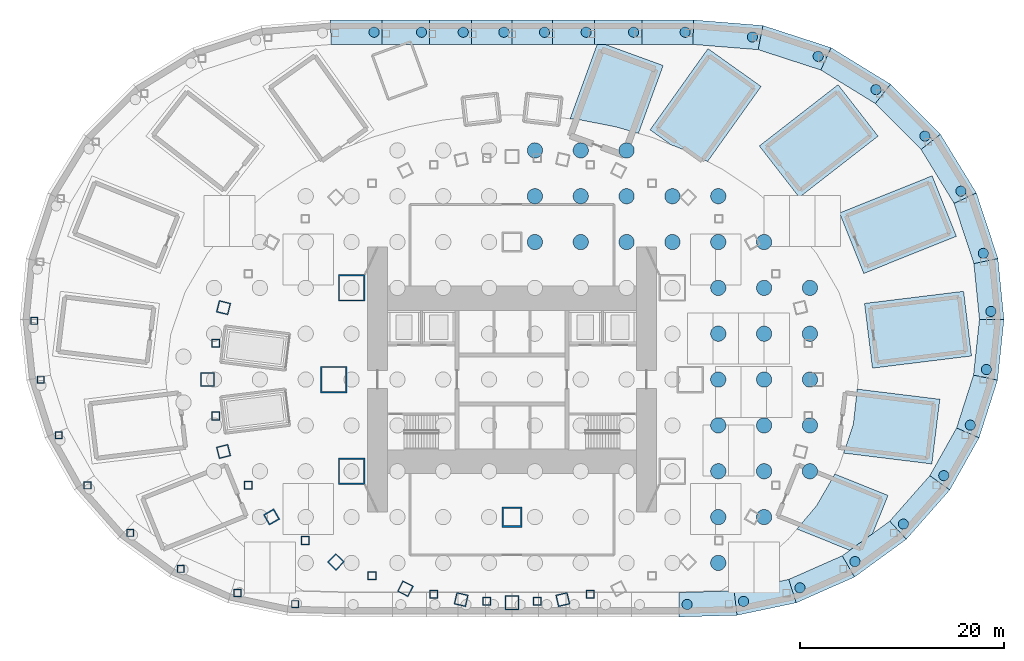
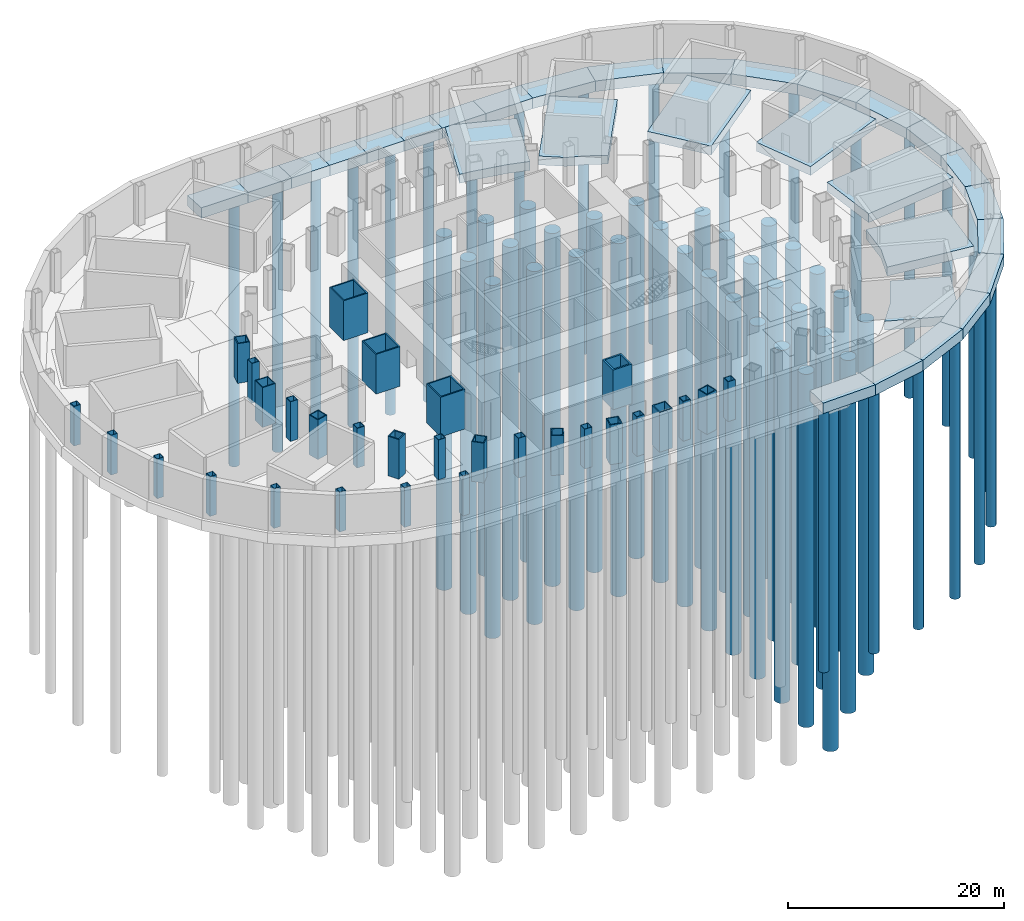
# One storey, part 2 of 11: 55 piles, 30 columns, 30 footings.
"""IFC4 building model written with IfcOpenShell, lengths in metres."""

import ifcopenshell
import ifcopenshell.guid

model = None  # the IFC model being written
_history = None  # IfcOwnerHistory: only IFC2X3 demands one
_inside = {}  # id of a spatial element -> (the spatial element, [elements in it])
_under = {}  # id of a project, library or spatial element -> (it, [spatial elements below it])
_declared = {}  # id of a project -> (the project, [libraries it declares])
_typed = {}  # id of a type object -> (the type object, [elements of that type])
_made_of = {}  # id of a material, layer set ... -> (it, [elements and type objects made of it])


def new_model(schema):
    """Start an empty IFC model of exactly this schema.

    Asked for "IFC4X3", IfcOpenShell would pick the latest addendum, in which some entities
    have other attributes; the version numbers below select the first issue.
    IFC2X3 requires an IfcOwnerHistory on every rooted entity: one is made here for all.
    """
    global model, _history
    if schema == "IFC4X3":
        model = ifcopenshell.file(schema_version=(4, 3, 0, 0))
    else:
        model = ifcopenshell.file(schema=schema)
    _inside.clear()
    _under.clear()
    _declared.clear()
    _typed.clear()
    _made_of.clear()
    _history = None
    if model.schema == "IFC2X3":
        org = make("IfcOrganization", Name="unknown")
        user = make(
            "IfcPersonAndOrganization",
            ThePerson=make("IfcPerson", FamilyName="unknown"),
            TheOrganization=org,
        )
        app = make(
            "IfcApplication",
            ApplicationDeveloper=org,
            Version="unknown",
            ApplicationFullName="unknown",
            ApplicationIdentifier="unknown",
        )
        _history = make(
            "IfcOwnerHistory",
            OwningUser=user,
            OwningApplication=app,
            ChangeAction="ADDED",
            CreationDate=0,
        )
    return model


def make(cls, **values):
    """One entity of the class cls with the attributes given. An attribute that is None is left unset."""
    return model.create_entity(
        cls, **{name: value for name, value in values.items() if value is not None}
    )


def rooted(cls, **values):
    """An entity with a GlobalId (a new one), such as an element, a storey or a relation."""
    return make(cls, GlobalId=ifcopenshell.guid.new(), OwnerHistory=_history, **values)


def si_unit(unit_type, name, prefix=None):
    """IfcSIUnit, for example si_unit("LENGTHUNIT", "METRE", prefix="MILLI")."""
    return make("IfcSIUnit", UnitType=unit_type, Prefix=prefix, Name=name)


def assignment(units):
    """IfcUnitAssignment: the units of a project."""
    return None if units is None else make("IfcUnitAssignment", Units=units)


def point(xyz):
    """IfcCartesianPoint."""
    return None if xyz is None else make("IfcCartesianPoint", Coordinates=xyz)


def direction(xyz):
    """IfcDirection."""
    return None if xyz is None else make("IfcDirection", DirectionRatios=xyz)


def frame(location, z_axis=None, x_axis=None):
    """IfcAxis2Placement3D, a coordinate frame: its origin and axes. An axis left out is left unset."""
    return make(
        "IfcAxis2Placement3D",
        Location=point(location),
        Axis=direction(z_axis),
        RefDirection=direction(x_axis),
    )


def frame_2d(location, x_axis=None):
    """IfcAxis2Placement2D, a coordinate frame in the plane: its origin and x axis."""
    return make(
        "IfcAxis2Placement2D", Location=point(location), RefDirection=direction(x_axis)
    )


def origin():
    """The frame at (0, 0, 0) with its axes left unset."""
    return frame((0.0, 0.0, 0.0))


def origin_2d():
    """The frame at (0, 0) in the plane with its x axis left unset."""
    return frame_2d((0.0, 0.0))


def place(relative_to, where):
    """IfcLocalPlacement: puts the frame where relative to a parent placement (None: the world)."""
    return make(
        "IfcLocalPlacement", PlacementRelTo=relative_to, RelativePlacement=where
    )


def context(
    kind, dimensions, precision=None, world=None, true_north=None, identifier=None
):
    """IfcGeometricRepresentationContext, for example the 3D "Model" context."""
    return make(
        "IfcGeometricRepresentationContext",
        ContextIdentifier=identifier,
        ContextType=kind,
        CoordinateSpaceDimension=dimensions,
        Precision=precision,
        WorldCoordinateSystem=world,
        TrueNorth=true_north,
    )


def subcontext(parent, identifier, kind, view, scale=None):
    """IfcGeometricRepresentationSubContext, for example "Body" below "Model"."""
    return make(
        "IfcGeometricRepresentationSubContext",
        ContextIdentifier=identifier,
        ContextType=kind,
        ParentContext=parent,
        TargetScale=scale,
        TargetView=view,
    )


def project(units=None, contexts=None):
    """IfcProject with its units and contexts."""
    return rooted(
        "IfcProject",
        Name="project",
        RepresentationContexts=contexts,
        UnitsInContext=assignment(units),
    )


def spatial(cls, under=None, at=None, **own):
    """A site, building, storey or space (cls), placed at a placement, below another one or the project."""
    s = rooted(cls, ObjectPlacement=at, **own)
    if under is not None:
        _under.setdefault(under.id(), (under, []))[1].append(s)
    return s


def polyline(points):
    """IfcPolyline through the points."""
    return make("IfcPolyline", Points=[point(p) for p in points])


def profile(cls, at=None, kind="AREA", **sizes):
    """A parametric profile (cls). Its sizes go by their IFC names, for example OverallWidth=200.0."""
    return make(cls, ProfileType=kind, Position=at, **sizes)


def rectangle(**sizes):
    """IfcRectangleProfileDef."""
    return profile("IfcRectangleProfileDef", **sizes)


def hollow_rectangle(**sizes):
    """IfcRectangleHollowProfileDef."""
    return profile("IfcRectangleHollowProfileDef", **sizes)


def circle(**sizes):
    """IfcCircleProfileDef."""
    return profile("IfcCircleProfileDef", **sizes)


def outline(outer, holes=None, kind="AREA"):
    """IfcArbitraryClosedProfileDef: a profile drawn as a closed curve; with holes, ...WithVoids."""
    if holes is None:
        return make("IfcArbitraryClosedProfileDef", ProfileType=kind, OuterCurve=outer)
    return make(
        "IfcArbitraryProfileDefWithVoids",
        ProfileType=kind,
        OuterCurve=outer,
        InnerCurves=holes,
    )


def extrude(swept, where, along, depth):
    """IfcExtrudedAreaSolid: the profile swept, set in the frame where, extruded along a direction by depth."""
    return make(
        "IfcExtrudedAreaSolid",
        SweptArea=swept,
        Position=where,
        ExtrudedDirection=direction(along),
        Depth=depth,
    )


def shape(context_of_items, identifier, shape_type, items):
    """IfcShapeRepresentation: the items that make up one representation, for example the "Body"."""
    return make(
        "IfcShapeRepresentation",
        ContextOfItems=context_of_items,
        RepresentationIdentifier=identifier,
        RepresentationType=shape_type,
        Items=items,
    )


def material(Name=None, Category=None):
    """IfcMaterial."""
    return make("IfcMaterial", Name=Name, Category=Category)


def layer(
    of_material, thickness, ventilated=None, Name=None, Category=None, Priority=None
):
    """IfcMaterialLayer: one layer of a wall or slab, of a material (None: an air gap)."""
    return make(
        "IfcMaterialLayer",
        Material=of_material,
        LayerThickness=thickness,
        IsVentilated=ventilated,
        Name=Name,
        Category=Category,
        Priority=Priority,
    )


def layer_set(layers, Name=None):
    """IfcMaterialLayerSet."""
    return make("IfcMaterialLayerSet", MaterialLayers=layers, LayerSetName=Name)


def material_profile(
    of_material, cross_section, Name=None, Category=None, Priority=None
):
    """IfcMaterialProfile: a cross section and its material."""
    return make(
        "IfcMaterialProfile",
        Name=Name,
        Material=of_material,
        Profile=cross_section,
        Priority=Priority,
        Category=Category,
    )


def profile_set(profiles, Name=None, composite=None):
    """IfcMaterialProfileSet."""
    return make(
        "IfcMaterialProfileSet",
        Name=Name,
        MaterialProfiles=profiles,
        CompositeProfile=composite,
    )


def made_of(thing, what):
    """Note that an element or type object is made of a material, layer set ...; save() writes the relation."""
    if what is not None:
        _made_of.setdefault(what.id(), (what, []))[1].append(thing)
    return thing


def type_object(cls, material=None, **own):
    """A type object (cls), such as IfcWallType, which elements share."""
    return made_of(rooted(cls, **own), material)


def element(
    cls,
    number,
    at=None,
    inside=None,
    cuts=None,
    type_object=None,
    material=None,
    context=None,
    identifier="Body",
    shape_type=None,
    held_by="IfcProductDefinitionShape",
    body=None,
    shapes=None,
    **own,
):
    """One element of the class cls, such as IfcWall. Its Tag is "e" and its number.

    at: its placement. inside: the storey or other place that contains it. cuts: it is an
    opening in that element (IfcRelVoidsElement). A single representation is given by context,
    identifier, shape_type and body (its items); several are given by shapes. held_by: the class
    of the entity that holds the representations. save() writes the other relations.
    """
    e = rooted(cls, Tag="e%d" % number, ObjectPlacement=at, **own)
    if body is not None:
        shapes = [shape(context, identifier, shape_type, body)]
    if shapes is not None:
        e.Representation = make(held_by, Representations=shapes)
    if inside is not None:
        _inside.setdefault(inside.id(), (inside, []))[1].append(e)
    if cuts is not None:
        rooted(
            "IfcRelVoidsElement", RelatingBuildingElement=cuts, RelatedOpeningElement=e
        )
    if type_object is not None:
        _typed.setdefault(type_object.id(), (type_object, []))[1].append(e)
    return made_of(e, material)


def aggregate(whole, parts):
    """IfcRelAggregates: a whole, such as a stair, and the parts it consists of."""
    return rooted("IfcRelAggregates", RelatingObject=whole, RelatedObjects=parts)


def save(model, path):
    """Write the relations noted so far, then the file.

    IfcRelAggregates (storeys below a building ...), IfcRelContainedInSpatialStructure (elements
    in a storey), IfcRelDefinesByType, IfcRelAssociatesMaterial and IfcRelDeclares: one each for
    every whole, place, type object, material and project.
    """
    for whole, parts in _under.values():
        aggregate(whole, parts)
    for where, things in _inside.values():
        rooted(
            "IfcRelContainedInSpatialStructure",
            RelatedElements=things,
            RelatingStructure=where,
        )
    for kind, things in _typed.values():
        rooted("IfcRelDefinesByType", RelatedObjects=things, RelatingType=kind)
    for what, things in _made_of.values():
        rooted("IfcRelAssociatesMaterial", RelatedObjects=things, RelatingMaterial=what)
    for by, libraries in _declared.values():
        rooted("IfcRelDeclares", RelatingContext=by, RelatedDefinitions=libraries)
    model.write(path)


model = new_model("IFC4")

# Units and contexts
model_context = context("Model", 3, precision=1e-05, world=origin(), true_north=direction((0.0, 1.0)))
body_context = subcontext(model_context, "Body", "Model", "MODEL_VIEW")
ifc_project = project(units=[si_unit("LENGTHUNIT", "METRE"), si_unit("AREAUNIT", "SQUARE_METRE"), si_unit("VOLUMEUNIT", "CUBIC_METRE"), si_unit("PLANEANGLEUNIT", "RADIAN"), si_unit("MASSUNIT", "GRAM", prefix="KILO")], contexts=[model_context])

# Site, building, storey
site_placement = place(None, origin())
site = spatial("IfcSite", under=ifc_project, at=site_placement, CompositionType="ELEMENT")
building_placement = place(site_placement, origin())
building = spatial("IfcBuilding", under=site, at=building_placement, Name="Lantaw Convention Tower", CompositionType="ELEMENT")
storey_placement = place(building_placement, frame((0.0, 0.0, -10.0)))
storey = spatial("IfcBuildingStorey", under=building, at=storey_placement, Name="B2", CompositionType="ELEMENT", Elevation=-10.0)

# Piles
ifc_material_1 = material(Name="Concrete C45/55", Category="concrete")
ifc_material_profile_1 = material_profile(ifc_material_1, circle(Radius=0.5, at=origin_2d()), Name="Bored pile 1000")
ifc_profile_set_1 = profile_set([ifc_material_profile_1], Name="Concrete C45/55")
pile_type_1 = type_object("IfcPileType", Name="Bored pile 1000", PredefinedType="BORED", material=ifc_profile_set_1)
for number, where, z_axis, x_axis, name in (
    (1, (46.572021484375, 0.982177734375, -1.199951171875), (0.0, 0.0, -1.0), (1.0, 0.0, 0.0), "Wall pile 1"),
    (2, (47.015869140625, 6.69287109375, -1.199951171875), (0.0, 0.0, -1.0), (1.0, 0.0, 0.0), "Wall pile 2"),
    (3, (46.27392578125, 12.39306640625, -1.199951171875), (0.0, 0.0, -1.0), (1.0, 0.0, 0.0), "Wall pile 3"),
    (4, (44.0732421875, 18.491943359375, -1.199951171875), (0.0, 0.0, -1.0), (1.0, 0.0, 0.0), "Wall pile 4"),
    (5, (40.542236328125, 23.903076171875, -1.199951171875), (0.0, 0.0, -1.0), (1.0, 0.0, 0.0), "Wall pile 5"),
    (6, (35.732421875, 28.46484375, -1.199951171875), (0.0, 0.0, -1.0), (1.0, 0.0, 0.0), "Wall pile 6"),
    (7, (30.059326171875, 31.73291015625, -1.199951171875), (0.0, 0.0, -1.0), (1.0, 0.0, 0.0), "Wall pile 7"),
    (8, (23.60400390625, 33.6337890625, -1.199951171875), (0.0, 0.0, -1.0), (1.0, 0.0, 0.0), "Wall pile 8"),
    (9, (16.997314453125, 34.10009765625, -1.199951171875), (0.0, 0.0, -1.0), (1.0, 0.0, 0.0), "Wall pile 9"),
    (10, (11.93896484375, 34.10009765625, -1.199951171875), (0.0, 0.0, -1.0), (1.0, 0.0, 0.0), "Wall pile 10"),
    (11, (7.2802734375, 34.10009765625, -1.199951171875), (0.0, 0.0, -1.0), (1.0, 0.0, 0.0), "Wall pile 11"),
    (12, (3.187744140625, 34.10009765625, -1.199951171875), (0.0, 0.0, -1.0), (1.0, 0.0, 0.0), "Wall pile 12"),
    (13, (-0.800048828125, 34.10009765625, -1.199951171875), (0.0, 0.0, -1.0), (1.0, 0.0, 0.0), "Wall pile 13"),
    (14, (-4.787841796875, 34.10009765625, -1.199951171875), (0.0, 0.0, -1.0), (1.0, 0.0, 0.0), "Wall pile 14"),
    (15, (-8.88037109375, 34.10009765625, -1.199951171875), (0.0, 0.0, -1.0), (1.0, 0.0, 0.0), "Wall pile 15"),
    (16, (-13.5390625, 34.10009765625, -1.199951171875), (0.0, 0.0, -1.0), (1.0, 0.0, 0.0), "Wall pile 16"),
    (17, (17.192626953125, -22.0771484375, -1.199951171875), (0.0, 0.0, -1.0), (1.0, 0.0, 0.0), "Wall pile 42"),
    (18, (22.731689453125, -21.77685546875, -1.199951171875), (0.0, 0.0, -1.0), (1.0, 0.0, 0.0), "Wall pile 43"),
    (19, (28.265869140625, -20.444580078125, -1.199951171875), (0.0, 0.0, -1.0), (1.0, 0.0, 0.0), "Wall pile 44"),
    (20, (33.669677734375, -17.873291015625, -1.199951171875), (0.0, 0.0, -1.0), (1.0, 0.0, 0.0), "Wall pile 45"),
    (21, (38.42626953125, -14.189208984375, -1.199951171875), (0.0, 0.0, -1.0), (1.0, 0.0, 0.0), "Wall pile 46"),
    (22, (42.39306640625, -9.43505859375, -1.199951171875), (0.0, 0.0, -1.0), (1.0, 0.0, 0.0), "Wall pile 47"),
    (23, (44.9951171875, -4.473388671875, -1.199951171875), (0.0, 0.0, -1.0), (1.0, 0.0, 0.0), "Wall pile 48"),
):
    element("IfcPile", number, at=place(storey_placement, frame(where, z_axis=z_axis, x_axis=x_axis)), inside=storey, type_object=pile_type_1, Name=name, PredefinedType="BORED", context=body_context, shape_type="SweptSolid", body=[
        extrude(circle(Radius=0.5, at=origin_2d()), origin(), (0.0, 0.0, 1.0), 30.0),
    ])
ifc_material_profile_2 = material_profile(ifc_material_1, circle(Radius=0.75, at=origin_2d()), Name="Bored pile 1500")
ifc_profile_set_2 = profile_set([ifc_material_profile_2], Name="Concrete C45/55")
pile_type_2 = type_object("IfcPileType", Name="Bored pile 1500", PredefinedType="BORED", material=ifc_profile_set_2)
for number, where, z_axis, x_axis, name in (
    (24, (20.25, -18.0, -3.5), (0.0, 0.0, -1.0), (1.0, 0.0, 0.0), "Raft pile 10"),
    (25, (20.25, -13.5, -3.5), (0.0, 0.0, -1.0), (1.0, 0.0, 0.0), "Raft pile 21"),
    (26, (24.75, -13.5, -3.5), (0.0, 0.0, -1.0), (1.0, 0.0, 0.0), "Raft pile 22"),
    (27, (20.25, -9.0, -3.5), (0.0, 0.0, -1.0), (1.0, 0.0, 0.0), "Raft pile 34"),
    (28, (24.75, -9.0, -3.5), (0.0, 0.0, -1.0), (1.0, 0.0, 0.0), "Raft pile 35"),
    (29, (29.25, -9.0, -3.5), (0.0, 0.0, -1.0), (1.0, 0.0, 0.0), "Raft pile 36"),
    (30, (20.25, -4.5, -3.5), (0.0, 0.0, -1.0), (1.0, 0.0, 0.0), "Raft pile 48"),
    (31, (24.75, -4.5, -3.5), (0.0, 0.0, -1.0), (1.0, 0.0, 0.0), "Raft pile 49"),
    (32, (29.25, -4.5, -3.5), (0.0, 0.0, -1.0), (1.0, 0.0, 0.0), "Raft pile 50"),
    (33, (20.25, 0.0, -3.5), (0.0, 0.0, -1.0), (1.0, 0.0, 0.0), "Raft pile 62"),
    (34, (24.75, 0.0, -3.5), (0.0, 0.0, -1.0), (1.0, 0.0, 0.0), "Raft pile 63"),
    (35, (29.25, 0.0, -3.5), (0.0, 0.0, -1.0), (1.0, 0.0, 0.0), "Raft pile 64"),
    (36, (20.25, 4.5, -3.5), (0.0, 0.0, -1.0), (1.0, 0.0, 0.0), "Raft pile 72"),
    (37, (24.75, 4.5, -3.5), (0.0, 0.0, -1.0), (1.0, 0.0, 0.0), "Raft pile 73"),
    (38, (29.25, 4.5, -3.5), (0.0, 0.0, -1.0), (1.0, 0.0, 0.0), "Raft pile 74"),
    (39, (20.25, 9.0, -3.5), (0.0, 0.0, -1.0), (1.0, 0.0, 0.0), "Raft pile 86"),
    (40, (24.75, 9.0, -3.5), (0.0, 0.0, -1.0), (1.0, 0.0, 0.0), "Raft pile 87"),
    (41, (29.25, 9.0, -3.5), (0.0, 0.0, -1.0), (1.0, 0.0, 0.0), "Raft pile 88"),
    (42, (2.25, 13.5, -3.5), (0.0, 0.0, -1.0), (1.0, 0.0, 0.0), "Raft pile 95"),
    (43, (6.75, 13.5, -3.5), (0.0, 0.0, -1.0), (1.0, 0.0, 0.0), "Raft pile 96"),
    (44, (11.25, 13.5, -3.5), (0.0, 0.0, -1.0), (1.0, 0.0, 0.0), "Raft pile 97"),
    (45, (15.75, 13.5, -3.5), (0.0, 0.0, -1.0), (1.0, 0.0, 0.0), "Raft pile 98"),
    (46, (20.25, 13.5, -3.5), (0.0, 0.0, -1.0), (1.0, 0.0, 0.0), "Raft pile 99"),
    (47, (24.75, 13.5, -3.5), (0.0, 0.0, -1.0), (1.0, 0.0, 0.0), "Raft pile 100"),
    (48, (2.25, 18.0, -3.5), (0.0, 0.0, -1.0), (1.0, 0.0, 0.0), "Raft pile 106"),
    (49, (6.75, 18.0, -3.5), (0.0, 0.0, -1.0), (1.0, 0.0, 0.0), "Raft pile 107"),
    (50, (11.25, 18.0, -3.5), (0.0, 0.0, -1.0), (1.0, 0.0, 0.0), "Raft pile 108"),
    (51, (15.75, 18.0, -3.5), (0.0, 0.0, -1.0), (1.0, 0.0, 0.0), "Raft pile 109"),
    (52, (20.25, 18.0, -3.5), (0.0, 0.0, -1.0), (1.0, 0.0, 0.0), "Raft pile 110"),
    (53, (2.25, 22.5, -3.5), (0.0, 0.0, -1.0), (1.0, 0.0, 0.0), "Raft pile 114"),
    (54, (6.75, 22.5, -3.5), (0.0, 0.0, -1.0), (1.0, 0.0, 0.0), "Raft pile 115"),
    (55, (11.25, 22.5, -3.5), (0.0, 0.0, -1.0), (1.0, 0.0, 0.0), "Raft pile 116"),
):
    element("IfcPile", number, at=place(storey_placement, frame(where, z_axis=z_axis, x_axis=x_axis)), inside=storey, type_object=pile_type_2, Name=name, PredefinedType="BORED", context=body_context, shape_type="SweptSolid", body=[
        extrude(circle(Radius=0.75, at=origin_2d()), origin(), (0.0, 0.0, 1.0), 40.0),
    ])

# Footings
ifc_material_2 = material(Name="Concrete C40/50", Category="concrete")
ifc_layer = layer(ifc_material_2, 1.0)
ifc_layer_set = layer_set([ifc_layer], Name="Stair core footing 1000")
footing_type_1 = type_object("IfcFootingType", Name="Stair core footing 1000", PredefinedType="PAD_FOOTING", material=ifc_layer_set)
footing_1_placement = place(storey_placement, frame((0.0, 0.0, -1.0)))
element("IfcFooting", 56, at=footing_1_placement, inside=storey, type_object=footing_type_1, Name="Stair core footing P1", PredefinedType="PAD_FOOTING", context=body_context, shape_type="SweptSolid", body=[
    extrude(outline(polyline([(34.607421875, 7.473388671875), (35.387451171875, 1.12109375), (45.114501953125, 2.3154296875), (44.33447265625, 8.667724609375), (34.607421875, 7.473388671875)])), origin(), (0.0, 0.0, 1.0), 1.0),
])
footing_2_placement = place(storey_placement, frame((0.0, 0.0, -1.0)))
element("IfcFooting", 57, at=footing_2_placement, inside=storey, type_object=footing_type_1, Name="Stair core footing P2", PredefinedType="PAD_FOOTING", context=body_context, shape_type="SweptSolid", body=[
    extrude(outline(polyline([(32.149658203125, 16.3544921875), (34.533935546875, 10.4150390625), (43.628662109375, 14.066162109375), (41.244384765625, 20.00537109375), (32.149658203125, 16.3544921875)])), origin(), (0.0, 0.0, 1.0), 1.0),
])
footing_3_placement = place(storey_placement, frame((0.0, 0.0, -1.0)))
element("IfcFooting", 58, at=footing_3_placement, inside=storey, type_object=footing_type_1, Name="Stair core footing P3", PredefinedType="PAD_FOOTING", context=body_context, shape_type="SweptSolid", body=[
    extrude(outline(polyline([(24.27587890625, 22.933349609375), (28.205078125, 17.88134765625), (35.94091796875, 23.897705078125), (32.011962890625, 28.94970703125), (24.27587890625, 22.933349609375)])), origin(), (0.0, 0.0, 1.0), 1.0),
])
footing_4_placement = place(storey_placement, frame((0.0, 0.0, -1.0)))
element("IfcFooting", 59, at=footing_4_placement, inside=storey, type_object=footing_type_1, Name="Stair core footing P4", PredefinedType="PAD_FOOTING", context=body_context, shape_type="SweptSolid", body=[
    extrude(outline(polyline([(13.553466796875, 24.511962890625), (15.59521484375, 23.0556640625), (17.20703125, 22.424560546875), (19.196533203125, 21.402099609375), (24.454833984375, 28.773681640625), (19.244384765625, 32.490234375), (13.553466796875, 24.511962890625)])), origin(), (0.0, 0.0, 1.0), 1.0),
])
footing_5_placement = place(storey_placement, frame((0.0, 0.0, -1.0)))
element("IfcFooting", 60, at=footing_5_placement, inside=storey, type_object=footing_type_1, Name="Stair core footing P5", PredefinedType="PAD_FOOTING", context=body_context, shape_type="SweptSolid", body=[
    extrude(outline(polyline([(14.83935546875, 30.830078125), (9.152587890625, 32.89990234375), (8.3564453125, 32.89990234375), (5.7001953125, 25.601806640625), (6.824951171875, 25.470703125), (10.266845703125, 24.786376953125), (12.413818359375, 24.166015625), (14.83935546875, 30.830078125)])), origin(), (0.0, 0.0, 1.0), 1.0),
])
footing_6_placement = place(storey_placement, frame((0.0, 0.0, -1.0)))
element("IfcFooting", 61, at=footing_6_placement, inside=storey, type_object=footing_type_1, Name="Stair core footing P12", PredefinedType="PAD_FOOTING", context=body_context, shape_type="SweptSolid", body=[
    extrude(outline(polyline([(27.968017578125, -14.675537109375), (33.159912109375, -16.759765625), (35.41162109375, -15.1171875), (36.91552734375, -11.37109375), (31.695068359375, -9.275390625), (29.89599609375, -12.38330078125), (27.968017578125, -14.675537109375)])), origin(), (0.0, 0.0, 1.0), 1.0),
])
footing_7_placement = place(storey_placement, frame((0.0, 0.0, -1.0)))
element("IfcFooting", 62, at=footing_7_placement, inside=storey, type_object=footing_type_1, Name="Stair core footing P13", PredefinedType="PAD_FOOTING", context=body_context, shape_type="SweptSolid", body=[
    extrude(outline(polyline([(42.000244140625, -1.932861328125), (33.895263671875, -0.937744140625), (33.507080078125, -4.411376953125), (32.55419921875, -7.22119140625), (41.22021484375, -8.28515625), (42.000244140625, -1.932861328125)])), origin(), (0.0, 0.0, 1.0), 1.0),
])
footing_type_2 = type_object("IfcFootingType", Name="Strip footing 2400x1200", PredefinedType="STRIP_FOOTING", material=ifc_material_2)
footing_8_placement = place(storey_placement, frame((0.0, 0.0, -1.199951171875)))
element("IfcFooting", 63, at=footing_8_placement, inside=storey, type_object=footing_type_2, Name="Basement wall strip footing 1", PredefinedType="STRIP_FOOTING", context=body_context, shape_type="SweptSolid", body=[
    extrude(outline(polyline([(47.66748046875, -0.062255859375), (48.30126953125, 5.892578125), (45.888671875, 5.90087890625), (45.30712890625, 0.435791015625), (47.66748046875, -0.062255859375)])), origin(), (0.0, 0.0, 1.0), 1.199951171875),
])
footing_9_placement = place(storey_placement, frame((0.0, 0.0, -1.199951171875)))
element("IfcFooting", 64, at=footing_9_placement, inside=storey, type_object=footing_type_2, Name="Basement wall strip footing 2", PredefinedType="STRIP_FOOTING", context=body_context, shape_type="SweptSolid", body=[
    extrude(outline(polyline([(48.30126953125, 5.892578125), (47.705078125, 11.883056640625), (45.343017578125, 11.383056640625), (45.888671875, 5.90087890625), (48.30126953125, 5.892578125)])), origin(), (0.0, 0.0, 1.0), 1.199951171875),
])
footing_10_placement = place(storey_placement, frame((0.0, 0.0, -1.199951171875)))
element("IfcFooting", 65, at=footing_10_placement, inside=storey, type_object=footing_type_2, Name="Basement wall strip footing 3", PredefinedType="STRIP_FOOTING", context=body_context, shape_type="SweptSolid", body=[
    extrude(outline(polyline([(47.705078125, 11.883056640625), (45.58740234375, 18.3173828125), (43.39501953125, 17.302001953125), (45.343017578125, 11.383056640625), (47.705078125, 11.883056640625)])), origin(), (0.0, 0.0, 1.0), 1.199951171875),
])
footing_11_placement = place(storey_placement, frame((0.0, 0.0, -1.199951171875)))
element("IfcFooting", 66, at=footing_11_placement, inside=storey, type_object=footing_type_2, Name="Basement wall strip footing 4", PredefinedType="STRIP_FOOTING", context=body_context, shape_type="SweptSolid", body=[
    extrude(outline(polyline([(45.58740234375, 18.3173828125), (42.056396484375, 24.08349609375), (40.1572265625, 22.58935546875), (43.39501953125, 17.302001953125), (45.58740234375, 18.3173828125)])), origin(), (0.0, 0.0, 1.0), 1.199951171875),
])
footing_12_placement = place(storey_placement, frame((0.0, 0.0, -1.199951171875)))
element("IfcFooting", 67, at=footing_12_placement, inside=storey, type_object=footing_type_2, Name="Basement wall strip footing 5", PredefinedType="STRIP_FOOTING", context=body_context, shape_type="SweptSolid", body=[
    extrude(outline(polyline([(42.056396484375, 24.08349609375), (37.16357421875, 28.993408203125), (35.6640625, 27.09814453125), (40.1572265625, 22.58935546875), (42.056396484375, 24.08349609375)])), origin(), (0.0, 0.0, 1.0), 1.199951171875),
])
footing_13_placement = place(storey_placement, frame((0.0, 0.0, -1.199951171875)))
element("IfcFooting", 68, at=footing_13_placement, inside=storey, type_object=footing_type_2, Name="Basement wall strip footing 6", PredefinedType="STRIP_FOOTING", context=body_context, shape_type="SweptSolid", body=[
    extrude(outline(polyline([(37.16357421875, 28.993408203125), (31.326904296875, 32.5830078125), (30.3134765625, 30.388671875), (35.6640625, 27.09814453125), (37.16357421875, 28.993408203125)])), origin(), (0.0, 0.0, 1.0), 1.199951171875),
])
footing_14_placement = place(storey_placement, frame((0.0, 0.0, -1.199951171875)))
element("IfcFooting", 69, at=footing_14_placement, inside=storey, type_object=footing_type_2, Name="Basement wall strip footing 7", PredefinedType="STRIP_FOOTING", context=body_context, shape_type="SweptSolid", body=[
    extrude(outline(polyline([(31.326904296875, 32.5830078125), (24.637939453125, 34.754638671875), (24.1650390625, 32.384765625), (30.3134765625, 30.388671875), (31.326904296875, 32.5830078125)])), origin(), (0.0, 0.0, 1.0), 1.199951171875),
])
footing_15_placement = place(storey_placement, frame((0.0, 0.0, -1.199951171875)))
element("IfcFooting", 70, at=footing_15_placement, inside=storey, type_object=footing_type_2, Name="Basement wall strip footing 8", PredefinedType="STRIP_FOOTING", context=body_context, shape_type="SweptSolid", body=[
    extrude(outline(polyline([(24.637939453125, 34.754638671875), (17.845458984375, 35.300048828125), (17.749267578125, 32.89990234375), (24.1650390625, 32.384765625), (24.637939453125, 34.754638671875)])), origin(), (0.0, 0.0, 1.0), 1.199951171875),
])
footing_16_placement = place(storey_placement, frame((0.0, 0.0, -1.199951171875)))
element("IfcFooting", 71, at=footing_16_placement, inside=storey, type_object=footing_type_2, Name="Basement wall strip footing 9", PredefinedType="STRIP_FOOTING", context=body_context, shape_type="SweptSolid", body=[
    extrude(outline(polyline([(17.845458984375, 35.300048828125), (12.739013671875, 35.300048828125), (12.739013671875, 32.89990234375), (17.749267578125, 32.89990234375), (17.845458984375, 35.300048828125)])), origin(), (0.0, 0.0, 1.0), 1.199951171875),
])
footing_17_placement = place(storey_placement, frame((0.0, 0.0, -1.199951171875)))
element("IfcFooting", 72, at=footing_17_placement, inside=storey, type_object=footing_type_2, Name="Basement wall strip footing 10", PredefinedType="STRIP_FOOTING", context=body_context, shape_type="SweptSolid", body=[
    extrude(outline(polyline([(12.739013671875, 35.300048828125), (8.080322265625, 35.300048828125), (8.080322265625, 32.89990234375), (12.739013671875, 32.89990234375), (12.739013671875, 35.300048828125)])), origin(), (0.0, 0.0, 1.0), 1.199951171875),
])
footing_18_placement = place(storey_placement, frame((0.0, 0.0, -1.199951171875)))
element("IfcFooting", 73, at=footing_18_placement, inside=storey, type_object=footing_type_2, Name="Basement wall strip footing 11", PredefinedType="STRIP_FOOTING", context=body_context, shape_type="SweptSolid", body=[
    extrude(outline(polyline([(8.080322265625, 35.300048828125), (3.98779296875, 35.300048828125), (3.98779296875, 32.89990234375), (8.080322265625, 32.89990234375), (8.080322265625, 35.300048828125)])), origin(), (0.0, 0.0, 1.0), 1.199951171875),
])
footing_19_placement = place(storey_placement, frame((0.0, 0.0, -1.199951171875)))
element("IfcFooting", 74, at=footing_19_placement, inside=storey, type_object=footing_type_2, Name="Basement wall strip footing 12", PredefinedType="STRIP_FOOTING", context=body_context, shape_type="SweptSolid", body=[
    extrude(outline(polyline([(3.98779296875, 35.300048828125), (0.0, 35.300048828125), (0.0, 32.89990234375), (3.98779296875, 32.89990234375), (3.98779296875, 35.300048828125)])), origin(), (0.0, 0.0, 1.0), 1.199951171875),
])
footing_20_placement = place(storey_placement, frame((0.0, 0.0, -1.199951171875)))
element("IfcFooting", 75, at=footing_20_placement, inside=storey, type_object=footing_type_2, Name="Basement wall strip footing 13", PredefinedType="STRIP_FOOTING", context=body_context, shape_type="SweptSolid", body=[
    extrude(outline(polyline([(0.0, 35.300048828125), (-3.98779296875, 35.300048828125), (-3.98779296875, 32.89990234375), (0.0, 32.89990234375), (0.0, 35.300048828125)])), origin(), (0.0, 0.0, 1.0), 1.199951171875),
])
footing_21_placement = place(storey_placement, frame((0.0, 0.0, -1.199951171875)))
element("IfcFooting", 76, at=footing_21_placement, inside=storey, type_object=footing_type_2, Name="Basement wall strip footing 14", PredefinedType="STRIP_FOOTING", context=body_context, shape_type="SweptSolid", body=[
    extrude(outline(polyline([(-3.98779296875, 35.300048828125), (-8.080322265625, 35.300048828125), (-8.080322265625, 32.89990234375), (-3.98779296875, 32.89990234375), (-3.98779296875, 35.300048828125)])), origin(), (0.0, 0.0, 1.0), 1.199951171875),
])
footing_22_placement = place(storey_placement, frame((0.0, 0.0, -1.199951171875)))
element("IfcFooting", 77, at=footing_22_placement, inside=storey, type_object=footing_type_2, Name="Basement wall strip footing 15", PredefinedType="STRIP_FOOTING", context=body_context, shape_type="SweptSolid", body=[
    extrude(outline(polyline([(-8.080322265625, 35.300048828125), (-12.739013671875, 35.300048828125), (-12.739013671875, 32.89990234375), (-8.080322265625, 32.89990234375), (-8.080322265625, 35.300048828125)])), origin(), (0.0, 0.0, 1.0), 1.199951171875),
])
footing_23_placement = place(storey_placement, frame((0.0, 0.0, -1.199951171875)))
element("IfcFooting", 78, at=footing_23_placement, inside=storey, type_object=footing_type_2, Name="Basement wall strip footing 16", PredefinedType="STRIP_FOOTING", context=body_context, shape_type="SweptSolid", body=[
    extrude(outline(polyline([(-12.739013671875, 35.300048828125), (-17.845458984375, 35.300048828125), (-17.749267578125, 32.89990234375), (-12.739013671875, 32.89990234375), (-12.739013671875, 35.300048828125)])), origin(), (0.0, 0.0, 1.0), 1.199951171875),
])
footing_24_placement = place(storey_placement, frame((0.0, 0.0, -1.199951171875)))
element("IfcFooting", 79, at=footing_24_placement, inside=storey, type_object=footing_type_2, Name="Basement wall strip footing 42", PredefinedType="STRIP_FOOTING", context=body_context, shape_type="SweptSolid", body=[
    extrude(outline(polyline([(16.409912109375, -23.300048828125), (22.09033203125, -23.1376953125), (21.80712890625, -20.744873046875), (16.375732421875, -20.89990234375), (16.409912109375, -23.300048828125)])), origin(), (0.0, 0.0, 1.0), 1.199951171875),
])
footing_25_placement = place(storey_placement, frame((0.0, 0.0, -1.199951171875)))
element("IfcFooting", 80, at=footing_25_placement, inside=storey, type_object=footing_type_2, Name="Basement wall strip footing 43", PredefinedType="STRIP_FOOTING", context=body_context, shape_type="SweptSolid", body=[
    extrude(outline(polyline([(22.09033203125, -23.1376953125), (27.90380859375, -21.916015625), (27.164306640625, -19.619140625), (21.80712890625, -20.744873046875), (22.09033203125, -23.1376953125)])), origin(), (0.0, 0.0, 1.0), 1.199951171875),
])
footing_26_placement = place(storey_placement, frame((0.0, 0.0, -1.199951171875)))
element("IfcFooting", 81, at=footing_26_placement, inside=storey, type_object=footing_type_2, Name="Basement wall strip footing 44", PredefinedType="STRIP_FOOTING", context=body_context, shape_type="SweptSolid", body=[
    extrude(outline(polyline([(27.90380859375, -21.916015625), (33.626220703125, -19.390380859375), (32.420654296875, -17.299072265625), (27.164306640625, -19.619140625), (27.90380859375, -21.916015625)])), origin(), (0.0, 0.0, 1.0), 1.199951171875),
])
footing_27_placement = place(storey_placement, frame((0.0, 0.0, -1.199951171875)))
element("IfcFooting", 82, at=footing_27_placement, inside=storey, type_object=footing_type_2, Name="Basement wall strip footing 45", PredefinedType="STRIP_FOOTING", context=body_context, shape_type="SweptSolid", body=[
    extrude(outline(polyline([(33.626220703125, -19.390380859375), (38.710693359375, -15.681396484375), (37.083984375, -13.897216796875), (32.420654296875, -17.299072265625), (33.626220703125, -19.390380859375)])), origin(), (0.0, 0.0, 1.0), 1.199951171875),
])
footing_28_placement = place(storey_placement, frame((0.0, 0.0, -1.199951171875)))
element("IfcFooting", 83, at=footing_28_placement, inside=storey, type_object=footing_type_2, Name="Basement wall strip footing 46", PredefinedType="STRIP_FOOTING", context=body_context, shape_type="SweptSolid", body=[
    extrude(outline(polyline([(38.710693359375, -15.681396484375), (42.985595703125, -10.830810546875), (41.017333984375, -9.434326171875), (37.083984375, -13.897216796875), (38.710693359375, -15.681396484375)])), origin(), (0.0, 0.0, 1.0), 1.199951171875),
])
footing_29_placement = place(storey_placement, frame((0.0, 0.0, -1.199951171875)))
element("IfcFooting", 84, at=footing_29_placement, inside=storey, type_object=footing_type_2, Name="Basement wall strip footing 47", PredefinedType="STRIP_FOOTING", context=body_context, shape_type="SweptSolid", body=[
    extrude(outline(polyline([(42.985595703125, -10.830810546875), (45.85693359375, -5.717041015625), (43.645263671875, -4.753662109375), (41.017333984375, -9.434326171875), (42.985595703125, -10.830810546875)])), origin(), (0.0, 0.0, 1.0), 1.199951171875),
])
footing_30_placement = place(storey_placement, frame((0.0, 0.0, -1.199951171875)))
element("IfcFooting", 85, at=footing_30_placement, inside=storey, type_object=footing_type_2, Name="Basement wall strip footing 48", PredefinedType="STRIP_FOOTING", context=body_context, shape_type="SweptSolid", body=[
    extrude(outline(polyline([(45.85693359375, -5.717041015625), (47.66748046875, -0.062255859375), (45.30712890625, 0.435791015625), (43.645263671875, -4.753662109375), (45.85693359375, -5.717041015625)])), origin(), (0.0, 0.0, 1.0), 1.199951171875),
])

# Columns
ifc_material_3 = material(Name="Steel EN 10025-3 S460N", Category="steel")
ifc_material_profile_3 = material_profile(ifc_material_3, hollow_rectangle(XDim=2.0, YDim=2.0, WallThickness=0.169921875, at=origin_2d()), Name="BOX2000X170")
ifc_material_4 = material(Name="Concrete C60/75", Category="concrete")
ifc_material_profile_4 = material_profile(ifc_material_4, rectangle(XDim=1.659912109375, YDim=1.659912109375, at=origin_2d()), Name="Concrete fill of BOX2000X170")
ifc_profile_set_3 = profile_set([ifc_material_profile_3, ifc_material_profile_4], Name="Steel EN 10025-3 S460N")
column_type_1 = type_object("IfcColumnType", Name="Column MC BOX2000X170", PredefinedType="COLUMN", material=ifc_profile_set_3)
column_1_placement = place(storey_placement, frame((0.0, -13.5, 0.0), z_axis=(0.0, 0.0, 1.0), x_axis=(1.0, 0.0, 0.0)))
element("IfcColumn", 86, at=column_1_placement, inside=storey, type_object=column_type_1, Name="Mega column M7", PredefinedType="COLUMN", context=body_context, shape_type="SweptSolid", body=[
    extrude(hollow_rectangle(XDim=2.0, YDim=2.0, WallThickness=0.169921875, at=origin_2d()), origin(), (0.0, 0.0, 1.0), 4.5),
])
ifc_material_profile_5 = material_profile(ifc_material_3, hollow_rectangle(XDim=2.60009765625, YDim=2.60009765625, WallThickness=0.1298828125, at=origin_2d()), Name="BOX2600X130")
ifc_material_profile_6 = material_profile(ifc_material_4, rectangle(XDim=2.340087890625, YDim=2.340087890625, at=origin_2d()), Name="Concrete fill of BOX2600X130")
ifc_profile_set_4 = profile_set([ifc_material_profile_5, ifc_material_profile_6], Name="Steel EN 10025-3 S460N")
column_type_2 = type_object("IfcColumnType", Name="Column MC BOX2600X130", PredefinedType="COLUMN", material=ifc_profile_set_4)
for number, where, z_axis, x_axis, name in (
    (87, (-15.75, 9.0, 0.0), (0.0, 0.0, 1.0), (1.0, 0.0, 0.0), "Mega column M4"),
    (88, (-17.5, 0.0, 0.0), (0.0, 0.0, 1.0), (1.0, 0.0, 0.0), "Mega column M5"),
    (89, (-15.75, -9.0, 0.0), (0.0, 0.0, 1.0), (1.0, 0.0, 0.0), "Mega column M6"),
):
    element("IfcColumn", number, at=place(storey_placement, frame(where, z_axis=z_axis, x_axis=x_axis)), inside=storey, type_object=column_type_2, Name=name, PredefinedType="COLUMN", context=body_context, shape_type="SweptSolid", body=[
        extrude(hollow_rectangle(XDim=2.60009765625, YDim=2.60009765625, WallThickness=0.1298828125, at=origin_2d()), origin(), (0.0, 0.0, 1.0), 4.5),
    ])
ifc_material_profile_7 = material_profile(ifc_material_3, hollow_rectangle(XDim=1.199951171875, YDim=1.199951171875, WallThickness=0.10009765625, at=origin_2d()), Name="BOX1200X100")
ifc_material_profile_8 = material_profile(ifc_material_4, rectangle(XDim=1.0, YDim=1.0, at=origin_2d()), Name="Concrete fill of BOX1200X100")
ifc_profile_set_5 = profile_set([ifc_material_profile_7, ifc_material_profile_8], Name="Steel EN 10025-3 S460N")
column_type_3 = type_object("IfcColumnType", Name="Column PC BOX1200X100", PredefinedType="COLUMN", material=ifc_profile_set_5)
for number, where, z_axis, x_axis, name in (
    (90, (-28.31787109375, 7.060302734375, 0.0), (0.0, 0.0, 1.0), (0.2419218956, 0.970295726276, 0.0), "Perimeter column P12"),
    (91, (-28.31787109375, -7.060302734375, 0.0), (0.0, 0.0, 1.0), (0.970295726276, 0.2419218956, 0.0), "Perimeter column P14"),
    (92, (-17.290771484375, -17.9052734375, 0.0), (0.0, 0.0, 1.0), (0.694658370459, 0.719339800339, 0.0), "Perimeter column P16"),
    (93, (-10.462646484375, -20.533935546875, 0.0), (0.0, 0.0, 1.0), (0.45399049974, 0.891006524188, 0.0), "Perimeter column P17"),
    (94, (-4.986328125, -21.59814453125, 0.0), (0.0, 0.0, 1.0), (0.224951054344, 0.974370064785, 0.0), "Perimeter column P18"),
    (95, (4.986328125, -21.59814453125, 0.0), (0.0, 0.0, 1.0), (0.974370064785, 0.224951054344, 0.0), "Perimeter column P20"),
):
    element("IfcColumn", number, at=place(storey_placement, frame(where, z_axis=z_axis, x_axis=x_axis)), inside=storey, type_object=column_type_3, Name=name, PredefinedType="COLUMN", context=body_context, shape_type="SweptSolid", body=[
        extrude(hollow_rectangle(XDim=1.199951171875, YDim=1.199951171875, WallThickness=0.10009765625, at=origin_2d()), origin(), (0.0, 0.0, 1.0), 4.5),
    ])
ifc_material_profile_9 = material_profile(ifc_material_3, hollow_rectangle(XDim=1.199951171875, YDim=1.199951171875, WallThickness=0.1201171875, at=origin_2d()), Name="BOX1200X120")
ifc_material_profile_10 = material_profile(ifc_material_4, rectangle(XDim=0.9599609375, YDim=0.9599609375, at=origin_2d()), Name="Concrete fill of BOX1200X120")
ifc_profile_set_6 = profile_set([ifc_material_profile_9, ifc_material_profile_10], Name="Steel EN 10025-3 S460N")
column_type_4 = type_object("IfcColumnType", Name="Column PC BOX1200X120", PredefinedType="COLUMN", material=ifc_profile_set_6)
column_2_placement = place(storey_placement, frame((-23.60498046875, -13.488525390625, 0.0), z_axis=(0.0, 0.0, 1.0), x_axis=(0.86824298017, 0.496139221777, 0.0)))
element("IfcColumn", 96, at=column_2_placement, inside=storey, type_object=column_type_4, Name="Perimeter column P15", PredefinedType="COLUMN", context=body_context, shape_type="SweptSolid", body=[
    extrude(hollow_rectangle(XDim=1.199951171875, YDim=1.199951171875, WallThickness=0.1201171875, at=origin_2d()), origin(), (0.0, 0.0, 1.0), 4.5),
])
ifc_material_profile_11 = material_profile(ifc_material_3, hollow_rectangle(XDim=1.39990234375, YDim=1.39990234375, WallThickness=0.10009765625, at=origin_2d()), Name="BOX1400X100")
ifc_material_profile_12 = material_profile(ifc_material_4, rectangle(XDim=1.199951171875, YDim=1.199951171875, at=origin_2d()), Name="Concrete fill of BOX1400X100")
ifc_profile_set_7 = profile_set([ifc_material_profile_11, ifc_material_profile_12], Name="Steel EN 10025-3 S460N")
column_type_5 = type_object("IfcColumnType", Name="Column PC BOX1400X100", PredefinedType="COLUMN", material=ifc_profile_set_7)
for number, where, z_axis, x_axis, name in (
    (97, (-29.89990234375, 0.0, 0.0), (0.0, 0.0, 1.0), (1.0, 0.0, 0.0), "Perimeter column P13"),
    (98, (0.0, -21.89990234375, 0.0), (0.0, 0.0, 1.0), (1.0, 0.0, 0.0), "Perimeter column P19"),
):
    element("IfcColumn", number, at=place(storey_placement, frame(where, z_axis=z_axis, x_axis=x_axis)), inside=storey, type_object=column_type_5, Name=name, PredefinedType="COLUMN", context=body_context, shape_type="SweptSolid", body=[
        extrude(hollow_rectangle(XDim=1.39990234375, YDim=1.39990234375, WallThickness=0.10009765625, at=origin_2d()), origin(), (0.0, 0.0, 1.0), 4.5),
    ])
ifc_material_5 = material(Name="Steel ASTM A572 Grade 50", Category="steel")
ifc_material_profile_13 = material_profile(ifc_material_5, hollow_rectangle(XDim=0.800048828125, YDim=0.800048828125, WallThickness=0.050048828125, at=origin_2d()), Name="BOX800X50")
ifc_profile_set_8 = profile_set([ifc_material_profile_13], Name="Steel ASTM A572 Grade 50")
column_type_6 = type_object("IfcColumnType", Name="Column QC BOX800X50", PredefinedType="COLUMN", material=ifc_profile_set_8)
for number, where, z_axis, x_axis, name in (
    (99, (-29.099365234375, 3.572998046875, 0.0), (0.0, 0.0, 1.0), (1.0, 0.0, 0.0), "Podium ring column Q12"),
    (100, (-29.099365234375, -3.572998046875, 0.0), (0.0, 0.0, 1.0), (1.0, 0.0, 0.0), "Podium ring column Q13"),
    (101, (-25.8779296875, -10.388427734375, 0.0), (0.0, 0.0, 1.0), (1.0, 0.0, 0.0), "Podium ring column Q14"),
    (102, (-20.30859375, -15.794189453125, 0.0), (0.0, 0.0, 1.0), (1.0, 0.0, 0.0), "Podium ring column Q15"),
    (103, (-13.745361328125, -19.270263671875, 0.0), (0.0, 0.0, 1.0), (1.0, 0.0, 0.0), "Podium ring column Q16"),
    (104, (-7.671142578125, -21.076416015625, 0.0), (0.0, 0.0, 1.0), (1.0, 0.0, 0.0), "Podium ring column Q17"),
    (105, (-2.47802734375, -21.75, 0.0), (0.0, 0.0, 1.0), (1.0, 0.0, 0.0), "Podium ring column Q18"),
    (106, (2.47802734375, -21.75, 0.0), (0.0, 0.0, 1.0), (1.0, 0.0, 0.0), "Podium ring column Q19"),
    (107, (7.671142578125, -21.076416015625, 0.0), (0.0, 0.0, 1.0), (1.0, 0.0, 0.0), "Podium ring column Q20"),
):
    element("IfcColumn", number, at=place(storey_placement, frame(where, z_axis=z_axis, x_axis=x_axis)), inside=storey, type_object=column_type_6, Name=name, PredefinedType="COLUMN", context=body_context, shape_type="SweptSolid", body=[
        extrude(hollow_rectangle(XDim=0.800048828125, YDim=0.800048828125, WallThickness=0.050048828125, at=origin_2d()), origin(), (0.0, 0.0, 1.0), 4.5),
    ])
ifc_material_profile_14 = material_profile(ifc_material_5, hollow_rectangle(XDim=0.699951171875, YDim=0.699951171875, WallThickness=0.0400390625, at=origin_2d()), Name="BOX700X40")
ifc_profile_set_9 = profile_set([ifc_material_profile_14], Name="Steel ASTM A572 Grade 50")
column_type_7 = type_object("IfcColumnType", Name="Column RC BOX700X40", PredefinedType="COLUMN", material=ifc_profile_set_9)
for number, where, z_axis, x_axis, name in (
    (108, (-46.907958984375, 5.759521484375, 0.0), (0.0, 0.0, 1.0), (1.0, 0.0, 0.0), "Podium column B11"),
    (109, (-44.488525390625, -5.46240234375, 0.0), (0.0, 0.0, 1.0), (1.0, 0.0, 0.0), "Podium column B12"),
    (110, (-37.486572265625, -15.048583984375, 0.0), (0.0, 0.0, 1.0), (1.0, 0.0, 0.0), "Podium column B13"),
    (111, (-26.94287109375, -20.95361328125, 0.0), (0.0, 0.0, 1.0), (1.0, 0.0, 0.0), "Podium column B14"),
    (112, (-46.2724609375, 0.0, 0.0), (0.0, 0.0, 1.0), (1.0, 0.0, 0.0), "Podium column R12"),
    (113, (-41.67236328125, -10.39013671875, 0.0), (0.0, 0.0, 1.0), (1.0, 0.0, 0.0), "Podium column R13"),
    (114, (-32.5205078125, -18.5830078125, 0.0), (0.0, 0.0, 1.0), (1.0, 0.0, 0.0), "Podium column R14"),
    (115, (-21.290771484375, -22.04736328125, 0.0), (0.0, 0.0, 1.0), (1.0, 0.0, 0.0), "Podium column R15"),
):
    element("IfcColumn", number, at=place(storey_placement, frame(where, z_axis=z_axis, x_axis=x_axis)), inside=storey, type_object=column_type_7, Name=name, PredefinedType="COLUMN", context=body_context, shape_type="SweptSolid", body=[
        extrude(hollow_rectangle(XDim=0.699951171875, YDim=0.699951171875, WallThickness=0.0400390625, at=origin_2d()), origin(), (0.0, 0.0, 1.0), 4.5),
    ])

save(model, "model.ifc")
